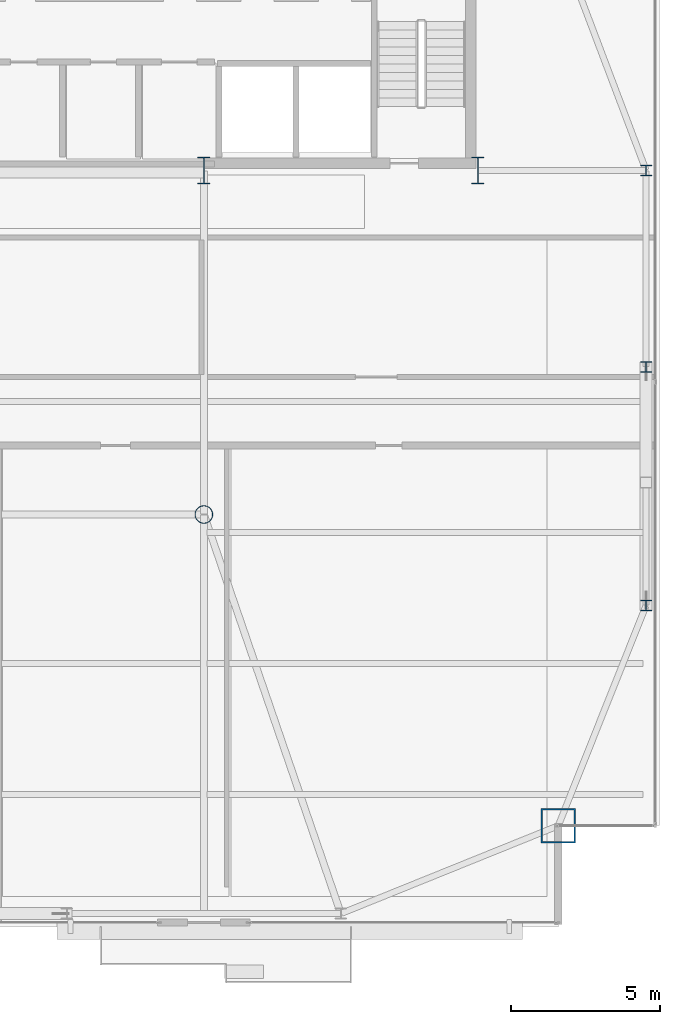
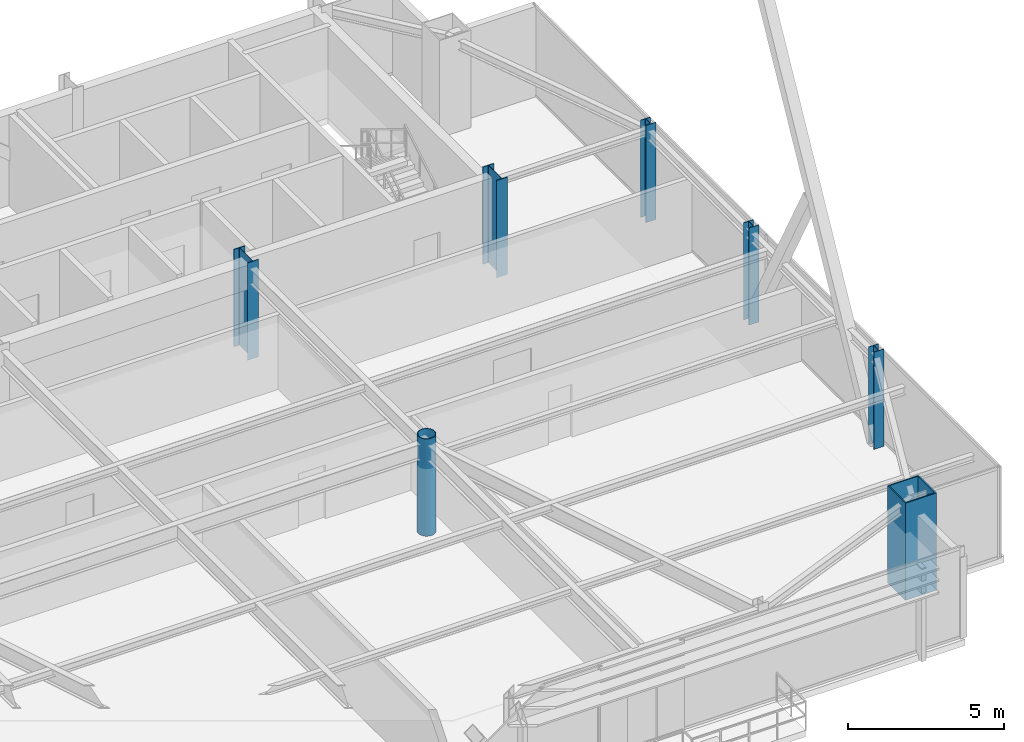
# One storey, part 2 of 31: 7 columns.
"""IFC4 building model written with IfcOpenShell, lengths in metres."""

import ifcopenshell
import ifcopenshell.guid

model = None  # the IFC model being written
_history = None  # IfcOwnerHistory: only IFC2X3 demands one
_inside = {}  # id of a spatial element -> (the spatial element, [elements in it])
_under = {}  # id of a project, library or spatial element -> (it, [spatial elements below it])
_declared = {}  # id of a project -> (the project, [libraries it declares])
_typed = {}  # id of a type object -> (the type object, [elements of that type])
_made_of = {}  # id of a material, layer set ... -> (it, [elements and type objects made of it])


def new_model(schema):
    """Start an empty IFC model of exactly this schema.

    Asked for "IFC4X3", IfcOpenShell would pick the latest addendum, in which some entities
    have other attributes; the version numbers below select the first issue.
    IFC2X3 requires an IfcOwnerHistory on every rooted entity: one is made here for all.
    """
    global model, _history
    if schema == "IFC4X3":
        model = ifcopenshell.file(schema_version=(4, 3, 0, 0))
    else:
        model = ifcopenshell.file(schema=schema)
    _inside.clear()
    _under.clear()
    _declared.clear()
    _typed.clear()
    _made_of.clear()
    _history = None
    if model.schema == "IFC2X3":
        org = make("IfcOrganization", Name="unknown")
        user = make(
            "IfcPersonAndOrganization",
            ThePerson=make("IfcPerson", FamilyName="unknown"),
            TheOrganization=org,
        )
        app = make(
            "IfcApplication",
            ApplicationDeveloper=org,
            Version="unknown",
            ApplicationFullName="unknown",
            ApplicationIdentifier="unknown",
        )
        _history = make(
            "IfcOwnerHistory",
            OwningUser=user,
            OwningApplication=app,
            ChangeAction="ADDED",
            CreationDate=0,
        )
    return model


def make(cls, **values):
    """One entity of the class cls with the attributes given. An attribute that is None is left unset."""
    return model.create_entity(
        cls, **{name: value for name, value in values.items() if value is not None}
    )


def rooted(cls, **values):
    """An entity with a GlobalId (a new one), such as an element, a storey or a relation."""
    return make(cls, GlobalId=ifcopenshell.guid.new(), OwnerHistory=_history, **values)


def si_unit(unit_type, name, prefix=None):
    """IfcSIUnit, for example si_unit("LENGTHUNIT", "METRE", prefix="MILLI")."""
    return make("IfcSIUnit", UnitType=unit_type, Prefix=prefix, Name=name)


def assignment(units):
    """IfcUnitAssignment: the units of a project."""
    return None if units is None else make("IfcUnitAssignment", Units=units)


def point(xyz):
    """IfcCartesianPoint."""
    return None if xyz is None else make("IfcCartesianPoint", Coordinates=xyz)


def direction(xyz):
    """IfcDirection."""
    return None if xyz is None else make("IfcDirection", DirectionRatios=xyz)


def frame(location, z_axis=None, x_axis=None):
    """IfcAxis2Placement3D, a coordinate frame: its origin and axes. An axis left out is left unset."""
    return make(
        "IfcAxis2Placement3D",
        Location=point(location),
        Axis=direction(z_axis),
        RefDirection=direction(x_axis),
    )


def frame_2d(location, x_axis=None):
    """IfcAxis2Placement2D, a coordinate frame in the plane: its origin and x axis."""
    return make(
        "IfcAxis2Placement2D", Location=point(location), RefDirection=direction(x_axis)
    )


def origin():
    """The frame at (0, 0, 0) with its axes left unset."""
    return frame((0.0, 0.0, 0.0))


def origin_2d():
    """The frame at (0, 0) in the plane with its x axis left unset."""
    return frame_2d((0.0, 0.0))


def place(relative_to, where):
    """IfcLocalPlacement: puts the frame where relative to a parent placement (None: the world)."""
    return make(
        "IfcLocalPlacement", PlacementRelTo=relative_to, RelativePlacement=where
    )


def context(
    kind, dimensions, precision=None, world=None, true_north=None, identifier=None
):
    """IfcGeometricRepresentationContext, for example the 3D "Model" context."""
    return make(
        "IfcGeometricRepresentationContext",
        ContextIdentifier=identifier,
        ContextType=kind,
        CoordinateSpaceDimension=dimensions,
        Precision=precision,
        WorldCoordinateSystem=world,
        TrueNorth=true_north,
    )


def subcontext(parent, identifier, kind, view, scale=None):
    """IfcGeometricRepresentationSubContext, for example "Body" below "Model"."""
    return make(
        "IfcGeometricRepresentationSubContext",
        ContextIdentifier=identifier,
        ContextType=kind,
        ParentContext=parent,
        TargetScale=scale,
        TargetView=view,
    )


def project(units=None, contexts=None):
    """IfcProject with its units and contexts."""
    return rooted(
        "IfcProject",
        Name="project",
        RepresentationContexts=contexts,
        UnitsInContext=assignment(units),
    )


def spatial(cls, under=None, at=None, **own):
    """A site, building, storey or space (cls), placed at a placement, below another one or the project."""
    s = rooted(cls, ObjectPlacement=at, **own)
    if under is not None:
        _under.setdefault(under.id(), (under, []))[1].append(s)
    return s


def profile(cls, at=None, kind="AREA", **sizes):
    """A parametric profile (cls). Its sizes go by their IFC names, for example OverallWidth=200.0."""
    return make(cls, ProfileType=kind, Position=at, **sizes)


def hollow_rectangle(**sizes):
    """IfcRectangleHollowProfileDef."""
    return profile("IfcRectangleHollowProfileDef", **sizes)


def hollow_circle(**sizes):
    """IfcCircleHollowProfileDef."""
    return profile("IfcCircleHollowProfileDef", **sizes)


def i_section(**sizes):
    """IfcIShapeProfileDef."""
    return profile("IfcIShapeProfileDef", **sizes)


def extrude(swept, where, along, depth):
    """IfcExtrudedAreaSolid: the profile swept, set in the frame where, extruded along a direction by depth."""
    return make(
        "IfcExtrudedAreaSolid",
        SweptArea=swept,
        Position=where,
        ExtrudedDirection=direction(along),
        Depth=depth,
    )


def shape(context_of_items, identifier, shape_type, items):
    """IfcShapeRepresentation: the items that make up one representation, for example the "Body"."""
    return make(
        "IfcShapeRepresentation",
        ContextOfItems=context_of_items,
        RepresentationIdentifier=identifier,
        RepresentationType=shape_type,
        Items=items,
    )


def source(mapping_origin, context_of_items, identifier, shape_type, items):
    """IfcRepresentationMap: a shape defined once, which mapped items show again and again."""
    return make(
        "IfcRepresentationMap",
        MappingOrigin=mapping_origin,
        MappedRepresentation=shape(context_of_items, identifier, shape_type, items),
    )


def transform(
    local_origin,
    x_axis=None,
    y_axis=None,
    z_axis=None,
    scale=None,
    scale2=None,
    scale3=None,
    uniform=True,
):
    """IfcCartesianTransformationOperator3D, or its non-uniform kind. x_axis, y_axis, z_axis: its Axis1, 2, 3."""
    if uniform:
        return make(
            "IfcCartesianTransformationOperator3D",
            Axis1=direction(x_axis),
            Axis2=direction(y_axis),
            LocalOrigin=point(local_origin),
            Scale=scale,
            Axis3=direction(z_axis),
        )
    return make(
        "IfcCartesianTransformationOperator3DnonUniform",
        Axis1=direction(x_axis),
        Axis2=direction(y_axis),
        LocalOrigin=point(local_origin),
        Scale=scale,
        Axis3=direction(z_axis),
        Scale2=scale2,
        Scale3=scale3,
    )


def mapped(mapping_source, mapping_target):
    """IfcMappedItem: shows the shape of a source again, moved by a transform."""
    return make(
        "IfcMappedItem", MappingSource=mapping_source, MappingTarget=mapping_target
    )


def material(Name=None, Category=None):
    """IfcMaterial."""
    return make("IfcMaterial", Name=Name, Category=Category)


def material_profile(
    of_material, cross_section, Name=None, Category=None, Priority=None
):
    """IfcMaterialProfile: a cross section and its material."""
    return make(
        "IfcMaterialProfile",
        Name=Name,
        Material=of_material,
        Profile=cross_section,
        Priority=Priority,
        Category=Category,
    )


def profile_set(profiles, Name=None, composite=None):
    """IfcMaterialProfileSet."""
    return make(
        "IfcMaterialProfileSet",
        Name=Name,
        MaterialProfiles=profiles,
        CompositeProfile=composite,
    )


def made_of(thing, what):
    """Note that an element or type object is made of a material, layer set ...; save() writes the relation."""
    if what is not None:
        _made_of.setdefault(what.id(), (what, []))[1].append(thing)
    return thing


def type_object(cls, material=None, **own):
    """A type object (cls), such as IfcWallType, which elements share."""
    return made_of(rooted(cls, **own), material)


def type_shapes(of_type, sources):
    """Give a type object the sources (RepresentationMaps) that its elements show as mapped items."""
    of_type.RepresentationMaps = sources


def element(
    cls,
    number,
    at=None,
    inside=None,
    cuts=None,
    type_object=None,
    material=None,
    context=None,
    identifier="Body",
    shape_type=None,
    held_by="IfcProductDefinitionShape",
    body=None,
    shapes=None,
    **own,
):
    """One element of the class cls, such as IfcWall. Its Tag is "e" and its number.

    at: its placement. inside: the storey or other place that contains it. cuts: it is an
    opening in that element (IfcRelVoidsElement). A single representation is given by context,
    identifier, shape_type and body (its items); several are given by shapes. held_by: the class
    of the entity that holds the representations. save() writes the other relations.
    """
    e = rooted(cls, Tag="e%d" % number, ObjectPlacement=at, **own)
    if body is not None:
        shapes = [shape(context, identifier, shape_type, body)]
    if shapes is not None:
        e.Representation = make(held_by, Representations=shapes)
    if inside is not None:
        _inside.setdefault(inside.id(), (inside, []))[1].append(e)
    if cuts is not None:
        rooted(
            "IfcRelVoidsElement", RelatingBuildingElement=cuts, RelatedOpeningElement=e
        )
    if type_object is not None:
        _typed.setdefault(type_object.id(), (type_object, []))[1].append(e)
    return made_of(e, material)


def aggregate(whole, parts):
    """IfcRelAggregates: a whole, such as a stair, and the parts it consists of."""
    return rooted("IfcRelAggregates", RelatingObject=whole, RelatedObjects=parts)


def save(model, path):
    """Write the relations noted so far, then the file.

    IfcRelAggregates (storeys below a building ...), IfcRelContainedInSpatialStructure (elements
    in a storey), IfcRelDefinesByType, IfcRelAssociatesMaterial and IfcRelDeclares: one each for
    every whole, place, type object, material and project.
    """
    for whole, parts in _under.values():
        aggregate(whole, parts)
    for where, things in _inside.values():
        rooted(
            "IfcRelContainedInSpatialStructure",
            RelatedElements=things,
            RelatingStructure=where,
        )
    for kind, things in _typed.values():
        rooted("IfcRelDefinesByType", RelatedObjects=things, RelatingType=kind)
    for what, things in _made_of.values():
        rooted("IfcRelAssociatesMaterial", RelatedObjects=things, RelatingMaterial=what)
    for by, libraries in _declared.values():
        rooted("IfcRelDeclares", RelatingContext=by, RelatedDefinitions=libraries)
    model.write(path)


model = new_model("IFC4")

# Units and contexts
model_context = context("Model", 3, precision=1e-05, world=origin(), true_north=direction((0.0, 1.0)))
body_context = subcontext(model_context, "Body", "Model", "MODEL_VIEW")
ifc_project = project(units=[si_unit("LENGTHUNIT", "METRE"), si_unit("AREAUNIT", "SQUARE_METRE"), si_unit("VOLUMEUNIT", "CUBIC_METRE"), si_unit("PLANEANGLEUNIT", "RADIAN"), si_unit("MASSUNIT", "GRAM", prefix="KILO")], contexts=[model_context])

# Site, building, storey
site_placement = place(None, origin())
site = spatial("IfcSite", under=ifc_project, at=site_placement, CompositionType="ELEMENT")
building_placement = place(site_placement, origin())
building = spatial("IfcBuilding", under=site, at=building_placement, Name="Varnel Quay Broadcast Tower", CompositionType="ELEMENT")
storey_placement = place(building_placement, frame((0.0, 0.0, 239.39990234375)))
storey = spatial("IfcBuildingStorey", under=building, at=storey_placement, Name="L59", CompositionType="ELEMENT", Elevation=239.39990234375)

# Columns
ifc_material_1 = material(Name="Structural Steel CSA G40.21 350WT", Category="steel")
ifc_material_profile_1 = material_profile(ifc_material_1, i_section(OverallWidth=0.39990234375, OverallDepth=0.89990234375, WebThickness=0.01611328125, FlangeThickness=0.028076171875, FilletRadius=0.01611328125, at=origin_2d()), Name="WWF900X309")
ifc_profile_set_1 = profile_set([ifc_material_profile_1], Name="Structural Steel CSA G40.21 350WT")
column_type_1 = type_object("IfcColumnType", Name="Col_WWF900X309", PredefinedType="COLUMN", material=ifc_profile_set_1)
shared_shape_1 = source(origin(), body_context, "Body", "SweptSolid", [
    extrude(i_section(OverallWidth=0.39990234375, OverallDepth=0.89990234375, WebThickness=0.01611328125, FlangeThickness=0.028076171875, FilletRadius=0.01611328125, at=origin_2d()), origin(), (0.0, 0.0, 1.0), 3.800048828125),
])
type_shapes(column_type_1, [shared_shape_1])
for number, where, z_axis, x_axis, name in (
    (1, (43.199951171875, 35.60009765625, 0.0), (0.0, 0.0, 1.0), (1.0, 0.0, 0.0), "L59 Column CC-S4"),
    (2, (52.39990234375, 35.60009765625, 0.0), (0.0, 0.0, 1.0), (1.0, 0.0, 0.0), "L59 Column CC-S5"),
):
    element("IfcColumn", number, at=place(storey_placement, frame(where, z_axis=z_axis, x_axis=x_axis)), inside=storey, type_object=column_type_1, Name=name, PredefinedType="COLUMN", context=body_context, shape_type="MappedRepresentation", body=[
        mapped(shared_shape_1, transform((0.0, 0.0, 0.0), x_axis=(1.0, 0.0, 0.0), y_axis=(0.0, 1.0, 0.0), z_axis=(0.0, 0.0, 1.0), scale=1.0)),
    ])
ifc_material_profile_2 = material_profile(ifc_material_1, hollow_rectangle(XDim=1.14990234375, YDim=1.14990234375, WallThickness=0.044921875, at=origin_2d()), Name="BOX1150X1150X45")
ifc_profile_set_2 = profile_set([ifc_material_profile_2], Name="Structural Steel CSA G40.21 350WT")
column_type_2 = type_object("IfcColumnType", Name="Col_BOX1150X1150X45", PredefinedType="COLUMN", material=ifc_profile_set_2)
shared_shape_2 = source(origin(), body_context, "Body", "SweptSolid", [
    extrude(hollow_rectangle(XDim=1.14990234375, YDim=1.14990234375, WallThickness=0.044921875, at=origin_2d()), origin(), (0.0, 0.0, 1.0), 3.800048828125),
])
type_shapes(column_type_2, [shared_shape_2])
column_1_placement = place(storey_placement, frame((55.10009765625, 13.60009765625, 0.0), z_axis=(0.0, 0.0, 1.0), x_axis=(1.0, 0.0, 0.0)))
element("IfcColumn", 3, at=column_1_placement, inside=storey, type_object=column_type_2, Name="L59 Column MC-SE", PredefinedType="COLUMN", context=body_context, shape_type="MappedRepresentation", body=[
    mapped(shared_shape_2, transform((0.0, 0.0, 0.0), x_axis=(1.0, 0.0, 0.0), y_axis=(0.0, 1.0, 0.0), z_axis=(0.0, 0.0, 1.0), scale=1.0)),
])
ifc_material_2 = material(Name="Structural Steel CSA G40.21 350W", Category="steel")
ifc_material_profile_3 = material_profile(ifc_material_2, i_section(OverallWidth=0.368896484375, OverallDepth=0.35595703125, WebThickness=0.01123046875, FlangeThickness=0.01806640625, FilletRadius=0.01611328125, at=origin_2d()), Name="W360X134")
ifc_profile_set_3 = profile_set([ifc_material_profile_3], Name="Structural Steel CSA G40.21 350W")
column_type_3 = type_object("IfcColumnType", Name="Col_W360X134", PredefinedType="COLUMN", material=ifc_profile_set_3)
shared_shape_3 = source(origin(), body_context, "Body", "SweptSolid", [
    extrude(i_section(OverallWidth=0.368896484375, OverallDepth=0.35595703125, WebThickness=0.01123046875, FlangeThickness=0.01806640625, FilletRadius=0.01611328125, at=origin_2d()), origin(), (0.0, 0.0, 1.0), 3.800048828125),
])
type_shapes(column_type_3, [shared_shape_3])
for number, where, z_axis, x_axis, name in (
    (4, (58.050048828125, 21.0, 0.0), (0.0, 0.0, 1.0), (1.0, 0.0, 0.0), "L59 Column TC-E1"),
    (5, (58.050048828125, 29.0, 0.0), (0.0, 0.0, 1.0), (1.0, 0.0, 0.0), "L59 Column TC-E2"),
    (6, (58.050048828125, 35.60009765625, 0.0), (0.0, 0.0, 1.0), (1.0, 0.0, 0.0), "L59 Column TC-E3"),
):
    element("IfcColumn", number, at=place(storey_placement, frame(where, z_axis=z_axis, x_axis=x_axis)), inside=storey, type_object=column_type_3, Name=name, PredefinedType="COLUMN", context=body_context, shape_type="MappedRepresentation", body=[
        mapped(shared_shape_3, transform((0.0, 0.0, 0.0), x_axis=(1.0, 0.0, 0.0), y_axis=(0.0, 1.0, 0.0), z_axis=(0.0, 0.0, 1.0), scale=1.0)),
    ])
ifc_material_profile_4 = material_profile(ifc_material_2, hollow_circle(Radius=0.304931640625, WallThickness=0.02490234375, at=origin_2d()), Name="CHS610X25")
ifc_profile_set_4 = profile_set([ifc_material_profile_4], Name="Structural Steel CSA G40.21 350W")
column_type_4 = type_object("IfcColumnType", Name="Col_CHS610X25", PredefinedType="COLUMN", material=ifc_profile_set_4)
shared_shape_4 = source(origin(), body_context, "Body", "SweptSolid", [
    extrude(hollow_circle(Radius=0.304931640625, WallThickness=0.02490234375, at=origin_2d()), origin(), (0.0, 0.0, 1.0), 3.800048828125),
])
type_shapes(column_type_4, [shared_shape_4])
column_2_placement = place(storey_placement, frame((43.199951171875, 24.050048828125, 0.0), z_axis=(0.0, 0.0, 1.0), x_axis=(1.0, 0.0, 0.0)))
element("IfcColumn", 7, at=column_2_placement, inside=storey, type_object=column_type_4, Name="L59 Column IC-02", PredefinedType="COLUMN", context=body_context, shape_type="MappedRepresentation", body=[
    mapped(shared_shape_4, transform((0.0, 0.0, 0.0), x_axis=(1.0, 0.0, 0.0), y_axis=(0.0, 1.0, 0.0), z_axis=(0.0, 0.0, 1.0), scale=1.0)),
])

save(model, "model.ifc")
